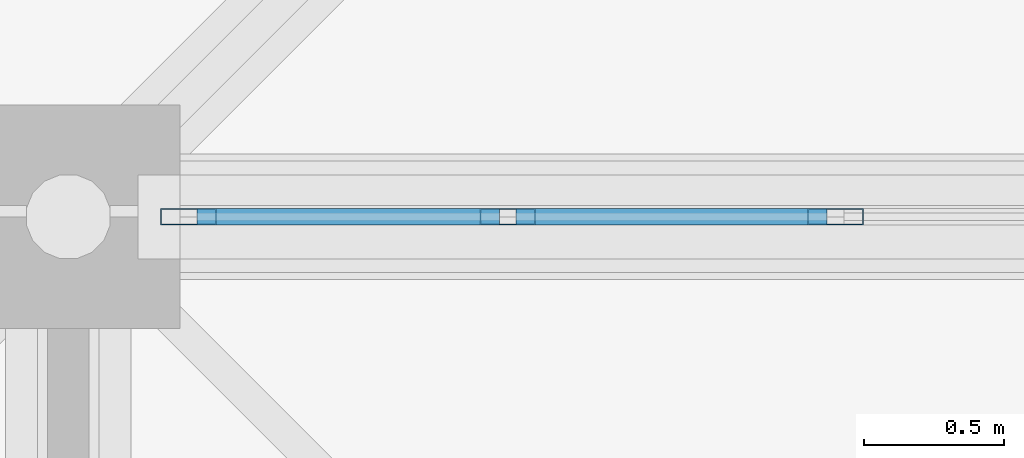
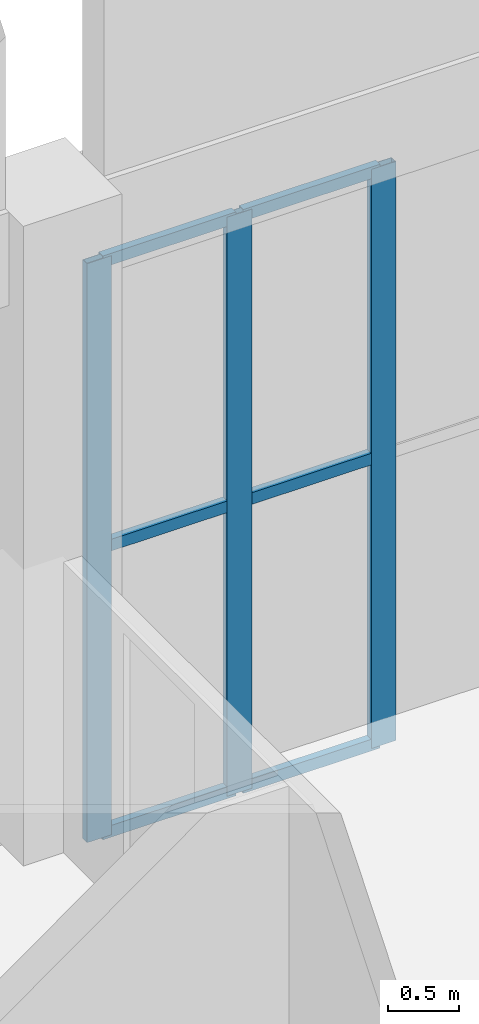
# One storey, part 115 of 437: 9 members, 1 element without a shape of its own.
"""IFC4 building model written with IfcOpenShell, lengths in metres."""

import ifcopenshell
import ifcopenshell.guid

model = None  # the IFC model being written
_history = None  # IfcOwnerHistory: only IFC2X3 demands one
_inside = {}  # id of a spatial element -> (the spatial element, [elements in it])
_under = {}  # id of a project, library or spatial element -> (it, [spatial elements below it])
_declared = {}  # id of a project -> (the project, [libraries it declares])
_typed = {}  # id of a type object -> (the type object, [elements of that type])
_made_of = {}  # id of a material, layer set ... -> (it, [elements and type objects made of it])


def new_model(schema):
    """Start an empty IFC model of exactly this schema.

    Asked for "IFC4X3", IfcOpenShell would pick the latest addendum, in which some entities
    have other attributes; the version numbers below select the first issue.
    IFC2X3 requires an IfcOwnerHistory on every rooted entity: one is made here for all.
    """
    global model, _history
    if schema == "IFC4X3":
        model = ifcopenshell.file(schema_version=(4, 3, 0, 0))
    else:
        model = ifcopenshell.file(schema=schema)
    _inside.clear()
    _under.clear()
    _declared.clear()
    _typed.clear()
    _made_of.clear()
    _history = None
    if model.schema == "IFC2X3":
        org = make("IfcOrganization", Name="unknown")
        user = make(
            "IfcPersonAndOrganization",
            ThePerson=make("IfcPerson", FamilyName="unknown"),
            TheOrganization=org,
        )
        app = make(
            "IfcApplication",
            ApplicationDeveloper=org,
            Version="unknown",
            ApplicationFullName="unknown",
            ApplicationIdentifier="unknown",
        )
        _history = make(
            "IfcOwnerHistory",
            OwningUser=user,
            OwningApplication=app,
            ChangeAction="ADDED",
            CreationDate=0,
        )
    return model


def make(cls, **values):
    """One entity of the class cls with the attributes given. An attribute that is None is left unset."""
    return model.create_entity(
        cls, **{name: value for name, value in values.items() if value is not None}
    )


def rooted(cls, **values):
    """An entity with a GlobalId (a new one), such as an element, a storey or a relation."""
    return make(cls, GlobalId=ifcopenshell.guid.new(), OwnerHistory=_history, **values)


def si_unit(unit_type, name, prefix=None):
    """IfcSIUnit, for example si_unit("LENGTHUNIT", "METRE", prefix="MILLI")."""
    return make("IfcSIUnit", UnitType=unit_type, Prefix=prefix, Name=name)


def assignment(units):
    """IfcUnitAssignment: the units of a project."""
    return None if units is None else make("IfcUnitAssignment", Units=units)


def point(xyz):
    """IfcCartesianPoint."""
    return None if xyz is None else make("IfcCartesianPoint", Coordinates=xyz)


def direction(xyz):
    """IfcDirection."""
    return None if xyz is None else make("IfcDirection", DirectionRatios=xyz)


def frame(location, z_axis=None, x_axis=None):
    """IfcAxis2Placement3D, a coordinate frame: its origin and axes. An axis left out is left unset."""
    return make(
        "IfcAxis2Placement3D",
        Location=point(location),
        Axis=direction(z_axis),
        RefDirection=direction(x_axis),
    )


def frame_2d(location, x_axis=None):
    """IfcAxis2Placement2D, a coordinate frame in the plane: its origin and x axis."""
    return make(
        "IfcAxis2Placement2D", Location=point(location), RefDirection=direction(x_axis)
    )


def origin():
    """The frame at (0, 0, 0) with its axes left unset."""
    return frame((0.0, 0.0, 0.0))


def origin_2d():
    """The frame at (0, 0) in the plane with its x axis left unset."""
    return frame_2d((0.0, 0.0))


def place(relative_to, where):
    """IfcLocalPlacement: puts the frame where relative to a parent placement (None: the world)."""
    return make(
        "IfcLocalPlacement", PlacementRelTo=relative_to, RelativePlacement=where
    )


def context(
    kind, dimensions, precision=None, world=None, true_north=None, identifier=None
):
    """IfcGeometricRepresentationContext, for example the 3D "Model" context."""
    return make(
        "IfcGeometricRepresentationContext",
        ContextIdentifier=identifier,
        ContextType=kind,
        CoordinateSpaceDimension=dimensions,
        Precision=precision,
        WorldCoordinateSystem=world,
        TrueNorth=true_north,
    )


def subcontext(parent, identifier, kind, view, scale=None):
    """IfcGeometricRepresentationSubContext, for example "Body" below "Model"."""
    return make(
        "IfcGeometricRepresentationSubContext",
        ContextIdentifier=identifier,
        ContextType=kind,
        ParentContext=parent,
        TargetScale=scale,
        TargetView=view,
    )


def project(units=None, contexts=None):
    """IfcProject with its units and contexts."""
    return rooted(
        "IfcProject",
        Name="project",
        RepresentationContexts=contexts,
        UnitsInContext=assignment(units),
    )


def spatial(cls, under=None, at=None, **own):
    """A site, building, storey or space (cls), placed at a placement, below another one or the project."""
    s = rooted(cls, ObjectPlacement=at, **own)
    if under is not None:
        _under.setdefault(under.id(), (under, []))[1].append(s)
    return s


def profile(cls, at=None, kind="AREA", **sizes):
    """A parametric profile (cls). Its sizes go by their IFC names, for example OverallWidth=200.0."""
    return make(cls, ProfileType=kind, Position=at, **sizes)


def hollow_rectangle(**sizes):
    """IfcRectangleHollowProfileDef."""
    return profile("IfcRectangleHollowProfileDef", **sizes)


def extrude(swept, where, along, depth):
    """IfcExtrudedAreaSolid: the profile swept, set in the frame where, extruded along a direction by depth."""
    return make(
        "IfcExtrudedAreaSolid",
        SweptArea=swept,
        Position=where,
        ExtrudedDirection=direction(along),
        Depth=depth,
    )


def shape(context_of_items, identifier, shape_type, items):
    """IfcShapeRepresentation: the items that make up one representation, for example the "Body"."""
    return make(
        "IfcShapeRepresentation",
        ContextOfItems=context_of_items,
        RepresentationIdentifier=identifier,
        RepresentationType=shape_type,
        Items=items,
    )


def material(Name=None, Category=None):
    """IfcMaterial."""
    return make("IfcMaterial", Name=Name, Category=Category)


def layer(
    of_material, thickness, ventilated=None, Name=None, Category=None, Priority=None
):
    """IfcMaterialLayer: one layer of a wall or slab, of a material (None: an air gap)."""
    return make(
        "IfcMaterialLayer",
        Material=of_material,
        LayerThickness=thickness,
        IsVentilated=ventilated,
        Name=Name,
        Category=Category,
        Priority=Priority,
    )


def layer_set(layers, Name=None):
    """IfcMaterialLayerSet."""
    return make("IfcMaterialLayerSet", MaterialLayers=layers, LayerSetName=Name)


def material_profile(
    of_material, cross_section, Name=None, Category=None, Priority=None
):
    """IfcMaterialProfile: a cross section and its material."""
    return make(
        "IfcMaterialProfile",
        Name=Name,
        Material=of_material,
        Profile=cross_section,
        Priority=Priority,
        Category=Category,
    )


def profile_set(profiles, Name=None, composite=None):
    """IfcMaterialProfileSet."""
    return make(
        "IfcMaterialProfileSet",
        Name=Name,
        MaterialProfiles=profiles,
        CompositeProfile=composite,
    )


def made_of(thing, what):
    """Note that an element or type object is made of a material, layer set ...; save() writes the relation."""
    if what is not None:
        _made_of.setdefault(what.id(), (what, []))[1].append(thing)
    return thing


def type_object(cls, material=None, **own):
    """A type object (cls), such as IfcWallType, which elements share."""
    return made_of(rooted(cls, **own), material)


def element(
    cls,
    number,
    at=None,
    inside=None,
    cuts=None,
    type_object=None,
    material=None,
    context=None,
    identifier="Body",
    shape_type=None,
    held_by="IfcProductDefinitionShape",
    body=None,
    shapes=None,
    **own,
):
    """One element of the class cls, such as IfcWall. Its Tag is "e" and its number.

    at: its placement. inside: the storey or other place that contains it. cuts: it is an
    opening in that element (IfcRelVoidsElement). A single representation is given by context,
    identifier, shape_type and body (its items); several are given by shapes. held_by: the class
    of the entity that holds the representations. save() writes the other relations.
    """
    e = rooted(cls, Tag="e%d" % number, ObjectPlacement=at, **own)
    if body is not None:
        shapes = [shape(context, identifier, shape_type, body)]
    if shapes is not None:
        e.Representation = make(held_by, Representations=shapes)
    if inside is not None:
        _inside.setdefault(inside.id(), (inside, []))[1].append(e)
    if cuts is not None:
        rooted(
            "IfcRelVoidsElement", RelatingBuildingElement=cuts, RelatedOpeningElement=e
        )
    if type_object is not None:
        _typed.setdefault(type_object.id(), (type_object, []))[1].append(e)
    return made_of(e, material)


def aggregate(whole, parts):
    """IfcRelAggregates: a whole, such as a stair, and the parts it consists of."""
    return rooted("IfcRelAggregates", RelatingObject=whole, RelatedObjects=parts)


def save(model, path):
    """Write the relations noted so far, then the file.

    IfcRelAggregates (storeys below a building ...), IfcRelContainedInSpatialStructure (elements
    in a storey), IfcRelDefinesByType, IfcRelAssociatesMaterial and IfcRelDeclares: one each for
    every whole, place, type object, material and project.
    """
    for whole, parts in _under.values():
        aggregate(whole, parts)
    for where, things in _inside.values():
        rooted(
            "IfcRelContainedInSpatialStructure",
            RelatedElements=things,
            RelatingStructure=where,
        )
    for kind, things in _typed.values():
        rooted("IfcRelDefinesByType", RelatedObjects=things, RelatingType=kind)
    for what, things in _made_of.values():
        rooted("IfcRelAssociatesMaterial", RelatedObjects=things, RelatingMaterial=what)
    for by, libraries in _declared.values():
        rooted("IfcRelDeclares", RelatingContext=by, RelatedDefinitions=libraries)
    model.write(path)


model = new_model("IFC4")

# Units and contexts
model_context = context("Model", 3, precision=1e-05, world=origin(), true_north=direction((0.0, 1.0)))
body_context = subcontext(model_context, "Body", "Model", "MODEL_VIEW")
ifc_project = project(units=[si_unit("LENGTHUNIT", "METRE"), si_unit("AREAUNIT", "SQUARE_METRE"), si_unit("VOLUMEUNIT", "CUBIC_METRE"), si_unit("PLANEANGLEUNIT", "RADIAN"), si_unit("MASSUNIT", "GRAM", prefix="KILO")], contexts=[model_context])

# Site, building, storey
site_placement = place(None, origin())
site = spatial("IfcSite", under=ifc_project, at=site_placement, CompositionType="ELEMENT")
building_placement = place(site_placement, origin())
building = spatial("IfcBuilding", under=site, at=building_placement, Name="Opaline Strait Convention Centre", CompositionType="ELEMENT")
storey_placement = place(building_placement, frame((0.0, 0.0, 11.5)))
storey = spatial("IfcBuildingStorey", under=building, at=storey_placement, Name="L02", CompositionType="ELEMENT", Elevation=11.5)

# Curtain wall, members
ifc_material_1 = material(Name="Aluminium framed double glazing", Category="aluminium")
ifc_layer = layer(ifc_material_1, 0.199951171875)
ifc_layer_set = layer_set([ifc_layer], Name="Aluminium framed double glazing")
curtain_wall_type = type_object("IfcCurtainWallType", Name="Curtain wall 1250", PredefinedType="NOTDEFINED", material=ifc_layer_set)
curtain_wall_placement = place(storey_placement, origin())
curtain_wall = element("IfcCurtainWall", 1, at=curtain_wall_placement, inside=storey, type_object=curtain_wall_type, Name="Curtain wall N-27-L02", PredefinedType="NOTDEFINED")
ifc_material_2 = material(Name="Aluminium alloy 6063", Category="aluminium")
ifc_material_profile_1 = material_profile(ifc_material_2, hollow_rectangle(XDim=0.06005859375, YDim=0.199951171875, WallThickness=0.00390625, at=origin_2d()), Name="MULLION 60x200x4")
ifc_profile_set_1 = profile_set([ifc_material_profile_1], Name="Aluminium alloy 6063")
member_type_1 = type_object("IfcMemberType", Name="Curtain wall mullion 60 x 200", PredefinedType="MULLION", material=ifc_profile_set_1)
member_1_placement = place(storey_placement, frame((27.429931640625, 180.0, -0.280029296875), z_axis=(0.0, 0.0, 1.0), x_axis=(0.0, 1.0, 0.0)))
member_1 = element("IfcMember", 2, at=member_1_placement, type_object=member_type_1, Name="PCW mullion 1", PredefinedType="MULLION", context=body_context, shape_type="SweptSolid", body=[
    extrude(hollow_rectangle(XDim=0.06005859375, YDim=0.199951171875, WallThickness=0.00390625, at=origin_2d()), origin(), (0.0, 0.0, 1.0), 4.97998046875),
])
member_2_placement = place(storey_placement, frame((28.5712890625, 180.0, -0.280029296875), z_axis=(0.0, 0.0, 1.0), x_axis=(0.0, 1.0, 0.0)))
member_2 = element("IfcMember", 3, at=member_2_placement, type_object=member_type_1, Name="PCW mullion 2", PredefinedType="MULLION", context=body_context, shape_type="SweptSolid", body=[
    extrude(hollow_rectangle(XDim=0.06005859375, YDim=0.199951171875, WallThickness=0.00390625, at=origin_2d()), origin(), (0.0, 0.0, 1.0), 4.97998046875),
])
member_3_placement = place(storey_placement, frame((29.742919921875, 180.0, -0.280029296875), z_axis=(0.0, 0.0, 1.0), x_axis=(0.0, 1.0, 0.0)))
member_3 = element("IfcMember", 4, at=member_3_placement, type_object=member_type_1, Name="PCW mullion 3", PredefinedType="MULLION", context=body_context, shape_type="SweptSolid", body=[
    extrude(hollow_rectangle(XDim=0.06005859375, YDim=0.199951171875, WallThickness=0.00390625, at=origin_2d()), origin(), (0.0, 0.0, 1.0), 4.97998046875),
])
ifc_material_profile_2 = material_profile(ifc_material_2, hollow_rectangle(XDim=0.06005859375, YDim=0.10009765625, WallThickness=0.0029296875, at=origin_2d()), Name="TRANSOM 60x100x3")
ifc_profile_set_2 = profile_set([ifc_material_profile_2], Name="Aluminium alloy 6063")
member_type_2 = type_object("IfcMemberType", Name="Curtain wall transom 60 x 100", PredefinedType="USERDEFINED", material=ifc_profile_set_2)
member_4_placement = place(storey_placement, frame((27.4599609375, 180.0, -0.25), z_axis=(1.0, 0.0, 0.0), x_axis=(0.0, 1.0, 0.0)))
member_4 = element("IfcMember", 5, at=member_4_placement, type_object=member_type_2, Name="PCW transom 1.1", ObjectType="TRANSOM", PredefinedType="USERDEFINED", context=body_context, shape_type="SweptSolid", body=[
    extrude(hollow_rectangle(XDim=0.06005859375, YDim=0.10009765625, WallThickness=0.0029296875, at=origin_2d()), origin(), (0.0, 0.0, 1.0), 1.081298828125),
])
member_5_placement = place(storey_placement, frame((27.4599609375, 180.0, 2.2099609375), z_axis=(1.0, 0.0, 0.0), x_axis=(0.0, 1.0, 0.0)))
member_5 = element("IfcMember", 6, at=member_5_placement, type_object=member_type_2, Name="PCW transom 1.2", ObjectType="TRANSOM", PredefinedType="USERDEFINED", context=body_context, shape_type="SweptSolid", body=[
    extrude(hollow_rectangle(XDim=0.06005859375, YDim=0.10009765625, WallThickness=0.0029296875, at=origin_2d()), origin(), (0.0, 0.0, 1.0), 1.081298828125),
])
member_6_placement = place(storey_placement, frame((27.4599609375, 180.0, 4.669921875), z_axis=(1.0, 0.0, 0.0), x_axis=(0.0, 1.0, 0.0)))
member_6 = element("IfcMember", 7, at=member_6_placement, type_object=member_type_2, Name="PCW transom 1.3", ObjectType="TRANSOM", PredefinedType="USERDEFINED", context=body_context, shape_type="SweptSolid", body=[
    extrude(hollow_rectangle(XDim=0.06005859375, YDim=0.10009765625, WallThickness=0.0029296875, at=origin_2d()), origin(), (0.0, 0.0, 1.0), 1.081298828125),
])
member_7_placement = place(storey_placement, frame((28.601318359375, 180.0, -0.25), z_axis=(1.0, 0.0, 0.0), x_axis=(0.0, 1.0, 0.0)))
member_7 = element("IfcMember", 8, at=member_7_placement, type_object=member_type_2, Name="PCW transom 2.1", ObjectType="TRANSOM", PredefinedType="USERDEFINED", context=body_context, shape_type="SweptSolid", body=[
    extrude(hollow_rectangle(XDim=0.06005859375, YDim=0.10009765625, WallThickness=0.0029296875, at=origin_2d()), origin(), (0.0, 0.0, 1.0), 1.111572265625),
])
member_8_placement = place(storey_placement, frame((28.601318359375, 180.0, 2.2099609375), z_axis=(1.0, 0.0, 0.0), x_axis=(0.0, 1.0, 0.0)))
member_8 = element("IfcMember", 9, at=member_8_placement, type_object=member_type_2, Name="PCW transom 2.2", ObjectType="TRANSOM", PredefinedType="USERDEFINED", context=body_context, shape_type="SweptSolid", body=[
    extrude(hollow_rectangle(XDim=0.06005859375, YDim=0.10009765625, WallThickness=0.0029296875, at=origin_2d()), origin(), (0.0, 0.0, 1.0), 1.111572265625),
])
member_9_placement = place(storey_placement, frame((28.601318359375, 180.0, 4.669921875), z_axis=(1.0, 0.0, 0.0), x_axis=(0.0, 1.0, 0.0)))
member_9 = element("IfcMember", 10, at=member_9_placement, type_object=member_type_2, Name="PCW transom 2.3", ObjectType="TRANSOM", PredefinedType="USERDEFINED", context=body_context, shape_type="SweptSolid", body=[
    extrude(hollow_rectangle(XDim=0.06005859375, YDim=0.10009765625, WallThickness=0.0029296875, at=origin_2d()), origin(), (0.0, 0.0, 1.0), 1.111572265625),
])
aggregate(curtain_wall, [member_1, member_2, member_3, member_4, member_5, member_6, member_7, member_8, member_9])

save(model, "model.ifc")
